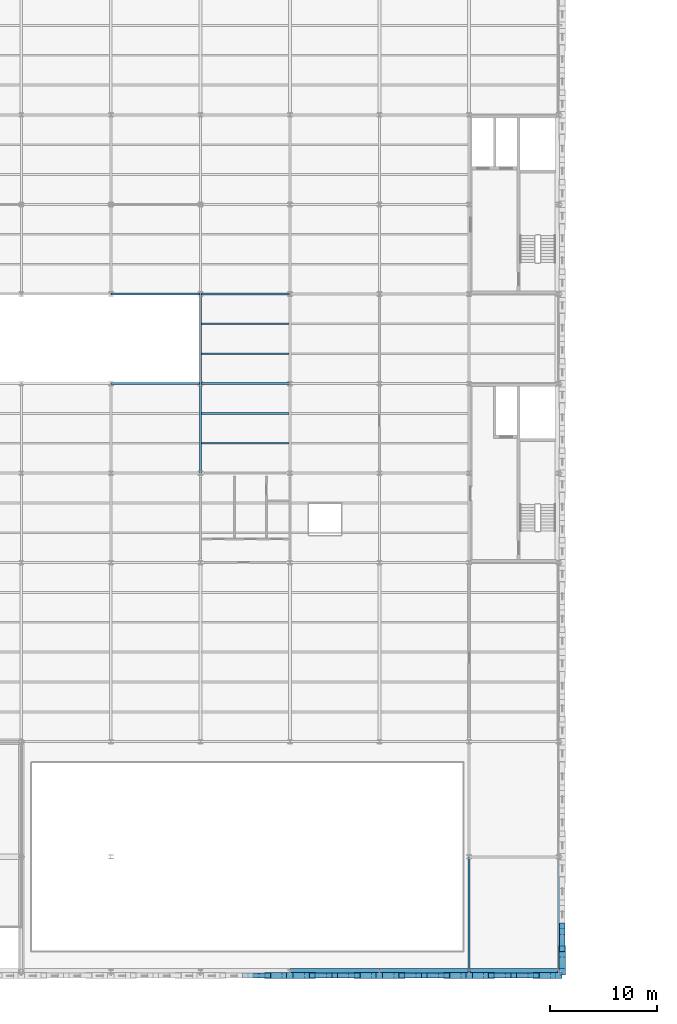
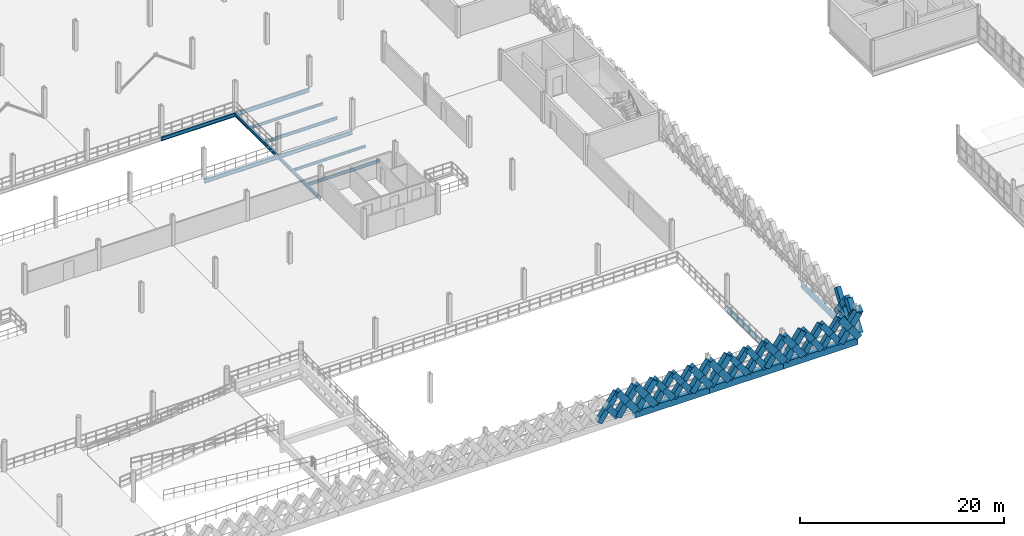
# One storey, part 23 of 79: 47 members, 15 beams.
"""IFC4 building model written with IfcOpenShell, lengths in metres."""

from ifc_helpers import new_model, si_unit, direction, frame, origin, origin_2d, place, context, subcontext, project, spatial, rectangle, i_section, extrude, material, material_profile, profile_set, type_object, element, save


model = new_model("IFC4")

# Units and contexts
model_context = context("Model", 3, precision=1e-05, world=origin(), true_north=direction((0.0, 1.0)))
body_context = subcontext(model_context, "Body", "Model", "MODEL_VIEW")
ifc_project = project(units=[si_unit("LENGTHUNIT", "METRE"), si_unit("AREAUNIT", "SQUARE_METRE"), si_unit("VOLUMEUNIT", "CUBIC_METRE"), si_unit("PLANEANGLEUNIT", "RADIAN"), si_unit("MASSUNIT", "GRAM", prefix="KILO"), si_unit("THERMODYNAMICTEMPERATUREUNIT", "KELVIN"), si_unit("POWERUNIT", "WATT")], contexts=[model_context])

# Site, building, storey
site_placement = place(None, origin())
site = spatial("IfcSite", under=ifc_project, at=site_placement, CompositionType="ELEMENT")
building_placement = place(site_placement, origin())
building = spatial("IfcBuilding", under=site, at=building_placement, Name="Tembeka Court Mobility Hub", CompositionType="ELEMENT")
storey_placement = place(building_placement, frame((0.0, 0.0, 9.0)))
storey = spatial("IfcBuildingStorey", under=building, at=storey_placement, Name="L02", CompositionType="ELEMENT", Elevation=9.0)

# Beams
ifc_material_1 = material(Name="Steel S355", Category="steel")
ifc_material_profile_1 = material_profile(ifc_material_1, i_section(OverallWidth=0.18994140625, OverallDepth=0.45703125, WebThickness=0.009033203125, FlangeThickness=0.014404296875, FilletRadius=0.01025390625, at=origin_2d()), Name="UKB 457x191x74")
ifc_profile_set_1 = profile_set([ifc_material_profile_1], Name="Steel S355")
beam_type_1 = type_object("IfcBeamType", Name="BM-B01", PredefinedType="BEAM", material=ifc_profile_set_1)
beam_1_placement = place(storey_placement, frame((50.39990234375, 55.199951171875, -0.448486328125), z_axis=(1.0, 0.0, 0.0), x_axis=(0.0, 1.0, 0.0)))
element("IfcBeam", 1, at=beam_1_placement, inside=storey, type_object=beam_type_1, Name="Beam B01 (BM-L02-X1245)", PredefinedType="BEAM", context=body_context, shape_type="SweptSolid", body=[
    extrude(i_section(OverallWidth=0.18994140625, OverallDepth=0.45703125, WebThickness=0.009033203125, FlangeThickness=0.014404296875, FilletRadius=0.01025390625, at=origin_2d()), origin(), (0.0, 0.0, 1.0), 8.400146484375),
])
beam_2_placement = place(storey_placement, frame((58.800048828125, 55.199951171875, -0.448486328125), z_axis=(1.0, 0.0, 0.0), x_axis=(0.0, 1.0, 0.0)))
element("IfcBeam", 2, at=beam_2_placement, inside=storey, type_object=beam_type_1, Name="Beam B01 (BM-L02-X1246)", PredefinedType="BEAM", context=body_context, shape_type="SweptSolid", body=[
    extrude(i_section(OverallWidth=0.18994140625, OverallDepth=0.45703125, WebThickness=0.009033203125, FlangeThickness=0.014404296875, FilletRadius=0.01025390625, at=origin_2d()), origin(), (0.0, 0.0, 1.0), 8.39990234375),
])
beam_3_placement = place(storey_placement, frame((50.39990234375, 63.60009765625, -0.448486328125), z_axis=(1.0, 0.0, 0.0), x_axis=(0.0, 1.0, 0.0)))
element("IfcBeam", 3, at=beam_3_placement, inside=storey, type_object=beam_type_1, Name="Beam B01 (BM-L02-X1257)", PredefinedType="BEAM", context=body_context, shape_type="SweptSolid", body=[
    extrude(i_section(OverallWidth=0.18994140625, OverallDepth=0.45703125, WebThickness=0.009033203125, FlangeThickness=0.014404296875, FilletRadius=0.01025390625, at=origin_2d()), origin(), (0.0, 0.0, 1.0), 8.400146484375),
])
beam_4_placement = place(storey_placement, frame((58.800048828125, 63.60009765625, -0.448486328125), z_axis=(1.0, 0.0, 0.0), x_axis=(0.0, 1.0, 0.0)))
element("IfcBeam", 4, at=beam_4_placement, inside=storey, type_object=beam_type_1, Name="Beam B01 (BM-L02-X1258)", PredefinedType="BEAM", context=body_context, shape_type="SweptSolid", body=[
    extrude(i_section(OverallWidth=0.18994140625, OverallDepth=0.45703125, WebThickness=0.009033203125, FlangeThickness=0.014404296875, FilletRadius=0.01025390625, at=origin_2d()), origin(), (0.0, 0.0, 1.0), 8.39990234375),
])
ifc_material_profile_2 = material_profile(ifc_material_1, i_section(OverallWidth=0.177978515625, OverallDepth=0.406005859375, WebThickness=0.0078125, FlangeThickness=0.0126953125, FilletRadius=0.01025390625, at=origin_2d()), Name="UKB 406x178x60")
ifc_profile_set_2 = profile_set([ifc_material_profile_2], Name="Steel S355")
beam_type_2 = type_object("IfcBeamType", Name="BM-B02", PredefinedType="BEAM", material=ifc_profile_set_2)
beam_5_placement = place(storey_placement, frame((58.800048828125, 46.800048828125, -0.423095703125), z_axis=(0.0, 1.0, 0.0), x_axis=(-1.0, 0.0, 0.0)))
element("IfcBeam", 5, at=beam_5_placement, inside=storey, type_object=beam_type_2, Name="Beam B02 (BM-L02-Y1371)", PredefinedType="BEAM", context=body_context, shape_type="SweptSolid", body=[
    extrude(i_section(OverallWidth=0.177978515625, OverallDepth=0.406005859375, WebThickness=0.0078125, FlangeThickness=0.0126953125, FilletRadius=0.01025390625, at=origin_2d()), origin(), (0.0, 0.0, 1.0), 8.39990234375),
])
beam_6_placement = place(storey_placement, frame((58.800048828125, 55.199951171875, -0.423095703125), z_axis=(0.0, 1.0, 0.0), x_axis=(-1.0, 0.0, 0.0)))
element("IfcBeam", 6, at=beam_6_placement, inside=storey, type_object=beam_type_2, Name="Beam B02 (BM-L02-Y1372)", PredefinedType="BEAM", context=body_context, shape_type="SweptSolid", body=[
    extrude(i_section(OverallWidth=0.177978515625, OverallDepth=0.406005859375, WebThickness=0.0078125, FlangeThickness=0.0126953125, FilletRadius=0.01025390625, at=origin_2d()), origin(), (0.0, 0.0, 1.0), 8.400146484375),
])
ifc_material_profile_3 = material_profile(ifc_material_1, i_section(OverallWidth=0.22900390625, OverallDepth=0.612060546875, WebThickness=0.011962890625, FlangeThickness=0.01953125, FilletRadius=0.0126953125, at=origin_2d()), Name="UKB 610x229x125")
ifc_profile_set_3 = profile_set([ifc_material_profile_3], Name="Steel S355")
beam_type_3 = type_object("IfcBeamType", Name="BM-G02", PredefinedType="USERDEFINED", material=ifc_profile_set_3)
for number, where, z_axis, x_axis, name in (
    (7, (84.0, 0.0, -0.52587890625), (0.0, 1.0, 0.0), (-1.0, 0.0, 0.0), "Beam G02 (BM-L02-Y1390)"),
    (8, (92.39990234375, 0.0, -0.52587890625), (0.0, 1.0, 0.0), (-1.0, 0.0, 0.0), "Beam G02 (BM-L02-Y1401)"),
):
    element("IfcBeam", number, at=place(storey_placement, frame(where, z_axis=z_axis, x_axis=x_axis)), inside=storey, type_object=beam_type_3, Name=name, ObjectType="GIRDER", PredefinedType="USERDEFINED", context=body_context, shape_type="SweptSolid", body=[
        extrude(i_section(OverallWidth=0.22900390625, OverallDepth=0.612060546875, WebThickness=0.011962890625, FlangeThickness=0.01953125, FilletRadius=0.0126953125, at=origin_2d()), origin(), (0.0, 0.0, 1.0), 10.800048828125),
    ])
ifc_material_profile_4 = material_profile(ifc_material_1, i_section(OverallWidth=0.1650390625, OverallDepth=0.303955078125, WebThickness=0.006103515625, FlangeThickness=0.01025390625, FilletRadius=0.0087890625, at=origin_2d()), Name="UKB 305x165x40")
ifc_profile_set_4 = profile_set([ifc_material_profile_4], Name="Steel S355")
beam_type_4 = type_object("IfcBeamType", Name="BM-J02", PredefinedType="JOIST", material=ifc_profile_set_4)
for number, where, z_axis, x_axis, name in (
    (9, (58.884033203125, 52.39990234375, -0.3720703125), (1.0, 0.0, 0.0), (0.0, 1.0, 0.0), "Beam J02 (JST-L02-1571)"),
    (10, (58.884033203125, 60.800048828125, -0.3720703125), (1.0, 0.0, 0.0), (0.0, 1.0, 0.0), "Beam J02 (JST-L02-1573)"),
):
    element("IfcBeam", number, at=place(storey_placement, frame(where, z_axis=z_axis, x_axis=x_axis)), inside=storey, type_object=beam_type_4, Name=name, PredefinedType="JOIST", context=body_context, shape_type="SweptSolid", body=[
        extrude(i_section(OverallWidth=0.1650390625, OverallDepth=0.303955078125, WebThickness=0.006103515625, FlangeThickness=0.01025390625, FilletRadius=0.0087890625, at=origin_2d()), origin(), (0.0, 0.0, 1.0), 8.23193359375),
    ])
ifc_material_profile_5 = material_profile(ifc_material_1, i_section(OverallWidth=0.169921875, OverallDepth=0.360107421875, WebThickness=0.008056640625, FlangeThickness=0.0126953125, FilletRadius=0.01806640625, at=origin_2d()), Name="IPE 360")
ifc_profile_set_5 = profile_set([ifc_material_profile_5], Name="Steel S355")
beam_type_5 = type_object("IfcBeamType", Name="BM-J03", PredefinedType="JOIST", material=ifc_profile_set_5)
for number, where, z_axis, x_axis, name in (
    (11, (58.884033203125, 49.60009765625, -0.39990234375), (1.0, 0.0, 0.0), (0.0, 1.0, 0.0), "Beam J03 (JST-L02-1570)"),
    (12, (58.884033203125, 58.0, -0.39990234375), (1.0, 0.0, 0.0), (0.0, 1.0, 0.0), "Beam J03 (JST-L02-1572)"),
):
    element("IfcBeam", number, at=place(storey_placement, frame(where, z_axis=z_axis, x_axis=x_axis)), inside=storey, type_object=beam_type_5, Name=name, PredefinedType="JOIST", context=body_context, shape_type="SweptSolid", body=[
        extrude(i_section(OverallWidth=0.169921875, OverallDepth=0.360107421875, WebThickness=0.008056640625, FlangeThickness=0.0126953125, FilletRadius=0.01806640625, at=origin_2d()), origin(), (0.0, 0.0, 1.0), 8.23193359375),
    ])
ifc_material_2 = material(Name="Precast concrete C45/55", Category="concrete")
ifc_material_profile_6 = material_profile(ifc_material_2, rectangle(XDim=0.64990234375, YDim=0.800048828125, at=origin_2d()), Name="PC-SP 650x800")
ifc_profile_set_6 = profile_set([ifc_material_profile_6], Name="Precast concrete C45/55")
beam_type_6 = type_object("IfcBeamType", Name="BM-SP01", PredefinedType="SPANDREL", material=ifc_profile_set_6)
beam_7_placement = place(storey_placement, frame((67.199951171875, 0.0, -0.6201171875), z_axis=(1.0, 0.0, 0.0), x_axis=(0.0, 1.0, 0.0)))
element("IfcBeam", 13, at=beam_7_placement, inside=storey, type_object=beam_type_6, Name="Beam SP01 (BM-L02-X1177)", PredefinedType="SPANDREL", context=body_context, shape_type="SweptSolid", body=[
    extrude(rectangle(XDim=0.64990234375, YDim=0.800048828125, at=origin_2d()), origin(), (0.0, 0.0, 1.0), 8.400146484375),
])
for number, where, z_axis, x_axis, name in (
    (14, (75.60009765625, 0.0, -0.6201171875), (1.0, 0.0, 0.0), (0.0, 1.0, 0.0), "Beam SP01 (BM-L02-X1178)"),
    (15, (84.0, 0.0, -0.6201171875), (1.0, 0.0, 0.0), (0.0, 1.0, 0.0), "Beam SP01 (BM-L02-X1179)"),
):
    element("IfcBeam", number, at=place(storey_placement, frame(where, z_axis=z_axis, x_axis=x_axis)), inside=storey, type_object=beam_type_6, Name=name, PredefinedType="SPANDREL", context=body_context, shape_type="SweptSolid", body=[
        extrude(rectangle(XDim=0.64990234375, YDim=0.800048828125, at=origin_2d()), origin(), (0.0, 0.0, 1.0), 8.39990234375),
    ])

# Members
ifc_material_profile_7 = material_profile(ifc_material_2, rectangle(XDim=0.5, YDim=0.64990234375, at=origin_2d()), Name="PC-DIAG 500x650")
ifc_profile_set_7 = profile_set([ifc_material_profile_7], Name="Precast concrete C45/55")
member_type_1 = type_object("IfcMemberType", Name="MEM-DL01", PredefinedType="BRACE", material=ifc_profile_set_7)
member_1_placement = place(storey_placement, frame((63.0, -0.340087890625, 0.02001953125), z_axis=(0.582576362011, 0.0, 0.812775973086), x_axis=(0.0, 1.0, 0.0)))
element("IfcMember", 16, at=member_1_placement, inside=storey, type_object=member_type_1, Name="Precast diamond lattice continuous strand DL01 (L02-219A)", PredefinedType="BRACE", context=body_context, shape_type="SweptSolid", body=[
    extrude(rectangle(XDim=0.5, YDim=0.64990234375, at=origin_2d()), origin(), (0.0, 0.0, 1.0), 3.604736328125),
])
member_2_placement = place(storey_placement, frame((65.10009765625, -0.340087890625, 0.02001953125), z_axis=(-0.582544294934, 0.0, 0.812798956963), x_axis=(0.0, -1.0, 0.0)))
element("IfcMember", 17, at=member_2_placement, inside=storey, type_object=member_type_1, Name="Precast diamond lattice split lower strand DL01 (L02-219B1)", PredefinedType="BRACE", context=body_context, shape_type="SweptSolid", body=[
    extrude(rectangle(XDim=0.5, YDim=0.64990234375, at=origin_2d()), origin(), (0.0, 0.0, 1.0), 1.802490234375),
])
member_3_placement = place(storey_placement, frame((69.300048828125, -0.340087890625, 0.02001953125), z_axis=(0.58253161945, 0.0, 0.812808041509), x_axis=(0.0, 1.0, 0.0)))
element("IfcMember", 18, at=member_3_placement, inside=storey, type_object=member_type_1, Name="Precast diamond lattice continuous strand DL01 (L02-222A)", PredefinedType="BRACE", context=body_context, shape_type="SweptSolid", body=[
    extrude(rectangle(XDim=0.5, YDim=0.64990234375, at=origin_2d()), origin(), (0.0, 0.0, 1.0), 3.604736328125),
])
member_4_placement = place(storey_placement, frame((71.39990234375, -0.340087890625, 0.02001953125), z_axis=(-0.582454804382, 0.0, 0.812863088627), x_axis=(0.0, -1.0, 0.0)))
element("IfcMember", 19, at=member_4_placement, inside=storey, type_object=member_type_1, Name="Precast diamond lattice split lower strand DL01 (L02-222B1)", PredefinedType="BRACE", context=body_context, shape_type="SweptSolid", body=[
    extrude(rectangle(XDim=0.5, YDim=0.64990234375, at=origin_2d()), origin(), (0.0, 0.0, 1.0), 1.802490234375),
])
member_5_placement = place(storey_placement, frame((70.35009765625, -0.340087890625, 1.485107421875), z_axis=(-0.582608431711, 0.0, 0.812752985414), x_axis=(0.0, -1.0, 0.0)))
element("IfcMember", 20, at=member_5_placement, inside=storey, type_object=member_type_1, Name="Precast diamond lattice split upper strand DL01 (L02-222B2)", PredefinedType="BRACE", context=body_context, shape_type="SweptSolid", body=[
    extrude(rectangle(XDim=0.5, YDim=0.64990234375, at=origin_2d()), origin(), (0.0, 0.0, 1.0), 1.80224609375),
])
member_6_placement = place(storey_placement, frame((71.39990234375, -0.340087890625, 0.02001953125), z_axis=(0.582576362011, 0.0, 0.812775973086), x_axis=(0.0, 1.0, 0.0)))
element("IfcMember", 21, at=member_6_placement, inside=storey, type_object=member_type_1, Name="Precast diamond lattice continuous strand DL01 (L02-223A)", PredefinedType="BRACE", context=body_context, shape_type="SweptSolid", body=[
    extrude(rectangle(XDim=0.5, YDim=0.64990234375, at=origin_2d()), origin(), (0.0, 0.0, 1.0), 3.604736328125),
])
member_7_placement = place(storey_placement, frame((73.5, -0.340087890625, 0.02001953125), z_axis=(-0.582544294934, 0.0, 0.812798956963), x_axis=(0.0, -1.0, 0.0)))
element("IfcMember", 22, at=member_7_placement, inside=storey, type_object=member_type_1, Name="Precast diamond lattice split lower strand DL01 (L02-223B1)", PredefinedType="BRACE", context=body_context, shape_type="SweptSolid", body=[
    extrude(rectangle(XDim=0.5, YDim=0.64990234375, at=origin_2d()), origin(), (0.0, 0.0, 1.0), 1.802490234375),
])
member_8_placement = place(storey_placement, frame((72.449951171875, -0.340087890625, 1.485107421875), z_axis=(-0.582608431711, 0.0, 0.812752985414), x_axis=(0.0, -1.0, 0.0)))
element("IfcMember", 23, at=member_8_placement, inside=storey, type_object=member_type_1, Name="Precast diamond lattice split upper strand DL01 (L02-223B2)", PredefinedType="BRACE", context=body_context, shape_type="SweptSolid", body=[
    extrude(rectangle(XDim=0.5, YDim=0.64990234375, at=origin_2d()), origin(), (0.0, 0.0, 1.0), 1.80224609375),
])
member_9_placement = place(storey_placement, frame((77.699951171875, -0.340087890625, 0.02001953125), z_axis=(0.582576362011, 0.0, 0.812775973086), x_axis=(0.0, 1.0, 0.0)))
element("IfcMember", 24, at=member_9_placement, inside=storey, type_object=member_type_1, Name="Precast diamond lattice continuous strand DL01 (L02-226A)", PredefinedType="BRACE", context=body_context, shape_type="SweptSolid", body=[
    extrude(rectangle(XDim=0.5, YDim=0.64990234375, at=origin_2d()), origin(), (0.0, 0.0, 1.0), 3.604736328125),
])
member_10_placement = place(storey_placement, frame((79.800048828125, -0.340087890625, 0.02001953125), z_axis=(-0.582544294934, 0.0, 0.812798956963), x_axis=(0.0, -1.0, 0.0)))
element("IfcMember", 25, at=member_10_placement, inside=storey, type_object=member_type_1, Name="Precast diamond lattice split lower strand DL01 (L02-226B1)", PredefinedType="BRACE", context=body_context, shape_type="SweptSolid", body=[
    extrude(rectangle(XDim=0.5, YDim=0.64990234375, at=origin_2d()), origin(), (0.0, 0.0, 1.0), 1.802490234375),
])
member_11_placement = place(storey_placement, frame((78.75, -0.340087890625, 1.485107421875), z_axis=(-0.582608431711, 0.0, 0.812752985414), x_axis=(0.0, -1.0, 0.0)))
element("IfcMember", 26, at=member_11_placement, inside=storey, type_object=member_type_1, Name="Precast diamond lattice split upper strand DL01 (L02-226B2)", PredefinedType="BRACE", context=body_context, shape_type="SweptSolid", body=[
    extrude(rectangle(XDim=0.5, YDim=0.64990234375, at=origin_2d()), origin(), (0.0, 0.0, 1.0), 1.80224609375),
])
member_12_placement = place(storey_placement, frame((79.800048828125, -0.340087890625, 0.02001953125), z_axis=(0.58253161945, 0.0, 0.812808041509), x_axis=(0.0, 1.0, 0.0)))
element("IfcMember", 27, at=member_12_placement, inside=storey, type_object=member_type_1, Name="Precast diamond lattice continuous strand DL01 (L02-227A)", PredefinedType="BRACE", context=body_context, shape_type="SweptSolid", body=[
    extrude(rectangle(XDim=0.5, YDim=0.64990234375, at=origin_2d()), origin(), (0.0, 0.0, 1.0), 3.604736328125),
])
member_13_placement = place(storey_placement, frame((81.89990234375, -0.340087890625, 0.02001953125), z_axis=(-0.582454804382, 0.0, 0.812863088627), x_axis=(0.0, -1.0, 0.0)))
element("IfcMember", 28, at=member_13_placement, inside=storey, type_object=member_type_1, Name="Precast diamond lattice split lower strand DL01 (L02-227B1)", PredefinedType="BRACE", context=body_context, shape_type="SweptSolid", body=[
    extrude(rectangle(XDim=0.5, YDim=0.64990234375, at=origin_2d()), origin(), (0.0, 0.0, 1.0), 1.802490234375),
])
member_14_placement = place(storey_placement, frame((80.85009765625, -0.340087890625, 1.485107421875), z_axis=(-0.582608431711, 0.0, 0.812752985414), x_axis=(0.0, -1.0, 0.0)))
element("IfcMember", 29, at=member_14_placement, inside=storey, type_object=member_type_1, Name="Precast diamond lattice split upper strand DL01 (L02-227B2)", PredefinedType="BRACE", context=body_context, shape_type="SweptSolid", body=[
    extrude(rectangle(XDim=0.5, YDim=0.64990234375, at=origin_2d()), origin(), (0.0, 0.0, 1.0), 1.80224609375),
])
member_15_placement = place(storey_placement, frame((86.10009765625, -0.340087890625, 0.02001953125), z_axis=(0.58253161945, 0.0, 0.812808041509), x_axis=(0.0, 1.0, 0.0)))
element("IfcMember", 30, at=member_15_placement, inside=storey, type_object=member_type_1, Name="Precast diamond lattice continuous strand DL01 (L02-230A)", PredefinedType="BRACE", context=body_context, shape_type="SweptSolid", body=[
    extrude(rectangle(XDim=0.5, YDim=0.64990234375, at=origin_2d()), origin(), (0.0, 0.0, 1.0), 3.604736328125),
])
member_16_placement = place(storey_placement, frame((88.199951171875, -0.340087890625, 0.02001953125), z_axis=(-0.582544294934, 0.0, 0.812798956963), x_axis=(0.0, -1.0, 0.0)))
element("IfcMember", 31, at=member_16_placement, inside=storey, type_object=member_type_1, Name="Precast diamond lattice split lower strand DL01 (L02-230B1)", PredefinedType="BRACE", context=body_context, shape_type="SweptSolid", body=[
    extrude(rectangle(XDim=0.5, YDim=0.64990234375, at=origin_2d()), origin(), (0.0, 0.0, 1.0), 1.802490234375),
])
member_17_placement = place(storey_placement, frame((87.14990234375, -0.340087890625, 1.485107421875), z_axis=(-0.582518941428, 0.0, 0.812817127574), x_axis=(0.0, -1.0, 0.0)))
element("IfcMember", 32, at=member_17_placement, inside=storey, type_object=member_type_1, Name="Precast diamond lattice split upper strand DL01 (L02-230B2)", PredefinedType="BRACE", context=body_context, shape_type="SweptSolid", body=[
    extrude(rectangle(XDim=0.5, YDim=0.64990234375, at=origin_2d()), origin(), (0.0, 0.0, 1.0), 1.80224609375),
])
member_18_placement = place(storey_placement, frame((88.199951171875, -0.340087890625, 0.02001953125), z_axis=(0.582576362011, 0.0, 0.812775973086), x_axis=(0.0, 1.0, 0.0)))
element("IfcMember", 33, at=member_18_placement, inside=storey, type_object=member_type_1, Name="Precast diamond lattice continuous strand DL01 (L02-231A)", PredefinedType="BRACE", context=body_context, shape_type="SweptSolid", body=[
    extrude(rectangle(XDim=0.5, YDim=0.64990234375, at=origin_2d()), origin(), (0.0, 0.0, 1.0), 3.604736328125),
])
member_19_placement = place(storey_placement, frame((90.300048828125, -0.340087890625, 0.02001953125), z_axis=(-0.582544294934, 0.0, 0.812798956963), x_axis=(0.0, -1.0, 0.0)))
element("IfcMember", 34, at=member_19_placement, inside=storey, type_object=member_type_1, Name="Precast diamond lattice split lower strand DL01 (L02-231B1)", PredefinedType="BRACE", context=body_context, shape_type="SweptSolid", body=[
    extrude(rectangle(XDim=0.5, YDim=0.64990234375, at=origin_2d()), origin(), (0.0, 0.0, 1.0), 1.802490234375),
])
member_20_placement = place(storey_placement, frame((89.25, -0.340087890625, 1.485107421875), z_axis=(-0.582608431711, 0.0, 0.812752985414), x_axis=(0.0, -1.0, 0.0)))
element("IfcMember", 35, at=member_20_placement, inside=storey, type_object=member_type_1, Name="Precast diamond lattice split upper strand DL01 (L02-231B2)", PredefinedType="BRACE", context=body_context, shape_type="SweptSolid", body=[
    extrude(rectangle(XDim=0.5, YDim=0.64990234375, at=origin_2d()), origin(), (0.0, 0.0, 1.0), 1.80224609375),
])
member_21_placement = place(storey_placement, frame((92.739990234375, 2.159912109375, 0.02001953125), z_axis=(0.0, 0.593423219328, 0.804890602978), x_axis=(-1.0, 0.0, 0.0)))
element("IfcMember", 36, at=member_21_placement, inside=storey, type_object=member_type_1, Name="Precast diamond lattice continuous strand DL01 (L02-334C)", PredefinedType="BRACE", context=body_context, shape_type="SweptSolid", body=[
    extrude(rectangle(XDim=0.5, YDim=0.64990234375, at=origin_2d()), origin(), (0.0, 0.0, 1.0), 3.64013671875),
])
for number, where, z_axis, x_axis, name in (
    (37, (92.739990234375, 4.320068359375, 0.02001953125), (0.0, -0.593391185876, 0.804914219358), (1.0, 0.0, 0.0), "Precast diamond lattice split lower strand DL01 (L02-334D1)"),
    (38, (92.739990234375, 3.239990234375, 1.485107421875), (0.0, -0.593455255298, 0.804866982773), (1.0, 0.0, 0.0), "Precast diamond lattice split upper strand DL01 (L02-334D2)"),
):
    element("IfcMember", number, at=place(storey_placement, frame(where, z_axis=z_axis, x_axis=x_axis)), inside=storey, type_object=member_type_1, Name=name, PredefinedType="BRACE", context=body_context, shape_type="SweptSolid", body=[
        extrude(rectangle(XDim=0.5, YDim=0.64990234375, at=origin_2d()), origin(), (0.0, 0.0, 1.0), 1.820068359375),
    ])
ifc_material_profile_8 = material_profile(ifc_material_2, rectangle(XDim=0.60009765625, YDim=0.75, at=origin_2d()), Name="PC-DIAG 600x750")
ifc_profile_set_8 = profile_set([ifc_material_profile_8], Name="Precast concrete C45/55")
member_type_2 = type_object("IfcMemberType", Name="MEM-DL02", PredefinedType="BRACE", material=ifc_profile_set_8)
member_22_placement = place(storey_placement, frame((65.10009765625, -0.340087890625, 0.02001953125), z_axis=(0.58253161945, 0.0, 0.812808041509), x_axis=(0.0, 1.0, 0.0)))
element("IfcMember", 39, at=member_22_placement, inside=storey, type_object=member_type_2, Name="Precast diamond lattice continuous strand DL02 (L02-220A)", PredefinedType="BRACE", context=body_context, shape_type="SweptSolid", body=[
    extrude(rectangle(XDim=0.60009765625, YDim=0.75, at=origin_2d()), origin(), (0.0, 0.0, 1.0), 3.604736328125),
])
member_23_placement = place(storey_placement, frame((67.199951171875, -0.340087890625, 0.02001953125), z_axis=(-0.582544294934, 0.0, 0.812798956963), x_axis=(0.0, -1.0, 0.0)))
element("IfcMember", 40, at=member_23_placement, inside=storey, type_object=member_type_2, Name="Precast diamond lattice split lower strand DL02 (L02-220B1)", PredefinedType="BRACE", context=body_context, shape_type="SweptSolid", body=[
    extrude(rectangle(XDim=0.60009765625, YDim=0.75, at=origin_2d()), origin(), (0.0, 0.0, 1.0), 1.802490234375),
])
member_24_placement = place(storey_placement, frame((66.14990234375, -0.340087890625, 1.485107421875), z_axis=(-0.582518941428, 0.0, 0.812817127574), x_axis=(0.0, -1.0, 0.0)))
element("IfcMember", 41, at=member_24_placement, inside=storey, type_object=member_type_2, Name="Precast diamond lattice split upper strand DL02 (L02-220B2)", PredefinedType="BRACE", context=body_context, shape_type="SweptSolid", body=[
    extrude(rectangle(XDim=0.60009765625, YDim=0.75, at=origin_2d()), origin(), (0.0, 0.0, 1.0), 1.80224609375),
])
member_25_placement = place(storey_placement, frame((67.199951171875, -0.340087890625, 0.02001953125), z_axis=(0.582576362011, 0.0, 0.812775973086), x_axis=(0.0, 1.0, 0.0)))
element("IfcMember", 42, at=member_25_placement, inside=storey, type_object=member_type_2, Name="Precast diamond lattice continuous strand DL02 (L02-221A)", PredefinedType="BRACE", context=body_context, shape_type="SweptSolid", body=[
    extrude(rectangle(XDim=0.60009765625, YDim=0.75, at=origin_2d()), origin(), (0.0, 0.0, 1.0), 3.604736328125),
])
member_26_placement = place(storey_placement, frame((69.300048828125, -0.340087890625, 0.02001953125), z_axis=(-0.582544294934, 0.0, 0.812798956963), x_axis=(0.0, -1.0, 0.0)))
element("IfcMember", 43, at=member_26_placement, inside=storey, type_object=member_type_2, Name="Precast diamond lattice split lower strand DL02 (L02-221B1)", PredefinedType="BRACE", context=body_context, shape_type="SweptSolid", body=[
    extrude(rectangle(XDim=0.60009765625, YDim=0.75, at=origin_2d()), origin(), (0.0, 0.0, 1.0), 1.802490234375),
])
member_27_placement = place(storey_placement, frame((68.25, -0.340087890625, 1.485107421875), z_axis=(-0.582608431711, 0.0, 0.812752985414), x_axis=(0.0, -1.0, 0.0)))
element("IfcMember", 44, at=member_27_placement, inside=storey, type_object=member_type_2, Name="Precast diamond lattice split upper strand DL02 (L02-221B2)", PredefinedType="BRACE", context=body_context, shape_type="SweptSolid", body=[
    extrude(rectangle(XDim=0.60009765625, YDim=0.75, at=origin_2d()), origin(), (0.0, 0.0, 1.0), 1.80224609375),
])
member_28_placement = place(storey_placement, frame((73.5, -0.340087890625, 0.02001953125), z_axis=(0.582576362011, 0.0, 0.812775973086), x_axis=(0.0, 1.0, 0.0)))
element("IfcMember", 45, at=member_28_placement, inside=storey, type_object=member_type_2, Name="Precast diamond lattice continuous strand DL02 (L02-224A)", PredefinedType="BRACE", context=body_context, shape_type="SweptSolid", body=[
    extrude(rectangle(XDim=0.60009765625, YDim=0.75, at=origin_2d()), origin(), (0.0, 0.0, 1.0), 3.604736328125),
])
member_29_placement = place(storey_placement, frame((75.60009765625, -0.340087890625, 0.02001953125), z_axis=(-0.582544294934, 0.0, 0.812798956963), x_axis=(0.0, -1.0, 0.0)))
element("IfcMember", 46, at=member_29_placement, inside=storey, type_object=member_type_2, Name="Precast diamond lattice split lower strand DL02 (L02-224B1)", PredefinedType="BRACE", context=body_context, shape_type="SweptSolid", body=[
    extrude(rectangle(XDim=0.60009765625, YDim=0.75, at=origin_2d()), origin(), (0.0, 0.0, 1.0), 1.802490234375),
])
member_30_placement = place(storey_placement, frame((74.550048828125, -0.340087890625, 1.485107421875), z_axis=(-0.582608431711, 0.0, 0.812752985414), x_axis=(0.0, -1.0, 0.0)))
element("IfcMember", 47, at=member_30_placement, inside=storey, type_object=member_type_2, Name="Precast diamond lattice split upper strand DL02 (L02-224B2)", PredefinedType="BRACE", context=body_context, shape_type="SweptSolid", body=[
    extrude(rectangle(XDim=0.60009765625, YDim=0.75, at=origin_2d()), origin(), (0.0, 0.0, 1.0), 1.80224609375),
])
member_31_placement = place(storey_placement, frame((75.60009765625, -0.340087890625, 0.02001953125), z_axis=(0.58253161945, 0.0, 0.812808041509), x_axis=(0.0, 1.0, 0.0)))
element("IfcMember", 48, at=member_31_placement, inside=storey, type_object=member_type_2, Name="Precast diamond lattice continuous strand DL02 (L02-225A)", PredefinedType="BRACE", context=body_context, shape_type="SweptSolid", body=[
    extrude(rectangle(XDim=0.60009765625, YDim=0.75, at=origin_2d()), origin(), (0.0, 0.0, 1.0), 3.604736328125),
])
member_32_placement = place(storey_placement, frame((77.699951171875, -0.340087890625, 0.02001953125), z_axis=(-0.582544294934, 0.0, 0.812798956963), x_axis=(0.0, -1.0, 0.0)))
element("IfcMember", 49, at=member_32_placement, inside=storey, type_object=member_type_2, Name="Precast diamond lattice split lower strand DL02 (L02-225B1)", PredefinedType="BRACE", context=body_context, shape_type="SweptSolid", body=[
    extrude(rectangle(XDim=0.60009765625, YDim=0.75, at=origin_2d()), origin(), (0.0, 0.0, 1.0), 1.802490234375),
])
member_33_placement = place(storey_placement, frame((76.64990234375, -0.340087890625, 1.485107421875), z_axis=(-0.582518941428, 0.0, 0.812817127574), x_axis=(0.0, -1.0, 0.0)))
element("IfcMember", 50, at=member_33_placement, inside=storey, type_object=member_type_2, Name="Precast diamond lattice split upper strand DL02 (L02-225B2)", PredefinedType="BRACE", context=body_context, shape_type="SweptSolid", body=[
    extrude(rectangle(XDim=0.60009765625, YDim=0.75, at=origin_2d()), origin(), (0.0, 0.0, 1.0), 1.80224609375),
])
member_34_placement = place(storey_placement, frame((81.89990234375, -0.340087890625, 0.02001953125), z_axis=(0.582576362011, 0.0, 0.812775973086), x_axis=(0.0, 1.0, 0.0)))
element("IfcMember", 51, at=member_34_placement, inside=storey, type_object=member_type_2, Name="Precast diamond lattice continuous strand DL02 (L02-228A)", PredefinedType="BRACE", context=body_context, shape_type="SweptSolid", body=[
    extrude(rectangle(XDim=0.60009765625, YDim=0.75, at=origin_2d()), origin(), (0.0, 0.0, 1.0), 3.604736328125),
])
member_35_placement = place(storey_placement, frame((84.0, -0.340087890625, 0.02001953125), z_axis=(-0.582544294934, 0.0, 0.812798956963), x_axis=(0.0, -1.0, 0.0)))
element("IfcMember", 52, at=member_35_placement, inside=storey, type_object=member_type_2, Name="Precast diamond lattice split lower strand DL02 (L02-228B1)", PredefinedType="BRACE", context=body_context, shape_type="SweptSolid", body=[
    extrude(rectangle(XDim=0.60009765625, YDim=0.75, at=origin_2d()), origin(), (0.0, 0.0, 1.0), 1.802490234375),
])
member_36_placement = place(storey_placement, frame((82.949951171875, -0.340087890625, 1.485107421875), z_axis=(-0.582608431711, 0.0, 0.812752985414), x_axis=(0.0, -1.0, 0.0)))
element("IfcMember", 53, at=member_36_placement, inside=storey, type_object=member_type_2, Name="Precast diamond lattice split upper strand DL02 (L02-228B2)", PredefinedType="BRACE", context=body_context, shape_type="SweptSolid", body=[
    extrude(rectangle(XDim=0.60009765625, YDim=0.75, at=origin_2d()), origin(), (0.0, 0.0, 1.0), 1.80224609375),
])
member_37_placement = place(storey_placement, frame((84.0, -0.340087890625, 0.02001953125), z_axis=(0.582576362011, 0.0, 0.812775973086), x_axis=(0.0, 1.0, 0.0)))
element("IfcMember", 54, at=member_37_placement, inside=storey, type_object=member_type_2, Name="Precast diamond lattice continuous strand DL02 (L02-229A)", PredefinedType="BRACE", context=body_context, shape_type="SweptSolid", body=[
    extrude(rectangle(XDim=0.60009765625, YDim=0.75, at=origin_2d()), origin(), (0.0, 0.0, 1.0), 3.604736328125),
])
member_38_placement = place(storey_placement, frame((86.10009765625, -0.340087890625, 0.02001953125), z_axis=(-0.582544294934, 0.0, 0.812798956963), x_axis=(0.0, -1.0, 0.0)))
element("IfcMember", 55, at=member_38_placement, inside=storey, type_object=member_type_2, Name="Precast diamond lattice split lower strand DL02 (L02-229B1)", PredefinedType="BRACE", context=body_context, shape_type="SweptSolid", body=[
    extrude(rectangle(XDim=0.60009765625, YDim=0.75, at=origin_2d()), origin(), (0.0, 0.0, 1.0), 1.802490234375),
])
member_39_placement = place(storey_placement, frame((85.050048828125, -0.340087890625, 1.485107421875), z_axis=(-0.582608431711, 0.0, 0.812752985414), x_axis=(0.0, -1.0, 0.0)))
element("IfcMember", 56, at=member_39_placement, inside=storey, type_object=member_type_2, Name="Precast diamond lattice split upper strand DL02 (L02-229B2)", PredefinedType="BRACE", context=body_context, shape_type="SweptSolid", body=[
    extrude(rectangle(XDim=0.60009765625, YDim=0.75, at=origin_2d()), origin(), (0.0, 0.0, 1.0), 1.80224609375),
])
member_40_placement = place(storey_placement, frame((90.300048828125, -0.340087890625, 0.02001953125), z_axis=(0.58253161945, 0.0, 0.812808041509), x_axis=(0.0, 1.0, 0.0)))
element("IfcMember", 57, at=member_40_placement, inside=storey, type_object=member_type_2, Name="Precast diamond lattice continuous strand DL02 (L02-232A)", PredefinedType="BRACE", context=body_context, shape_type="SweptSolid", body=[
    extrude(rectangle(XDim=0.60009765625, YDim=0.75, at=origin_2d()), origin(), (0.0, 0.0, 1.0), 3.604736328125),
])
member_41_placement = place(storey_placement, frame((92.39990234375, -0.340087890625, 0.02001953125), z_axis=(-0.582454804382, 0.0, 0.812863088627), x_axis=(0.0, -1.0, 0.0)))
element("IfcMember", 58, at=member_41_placement, inside=storey, type_object=member_type_2, Name="Precast diamond lattice split lower strand DL02 (L02-232B1)", PredefinedType="BRACE", context=body_context, shape_type="SweptSolid", body=[
    extrude(rectangle(XDim=0.60009765625, YDim=0.75, at=origin_2d()), origin(), (0.0, 0.0, 1.0), 1.802490234375),
])
member_42_placement = place(storey_placement, frame((91.35009765625, -0.340087890625, 1.485107421875), z_axis=(-0.582608431711, 0.0, 0.812752985414), x_axis=(0.0, -1.0, 0.0)))
element("IfcMember", 59, at=member_42_placement, inside=storey, type_object=member_type_2, Name="Precast diamond lattice split upper strand DL02 (L02-232B2)", PredefinedType="BRACE", context=body_context, shape_type="SweptSolid", body=[
    extrude(rectangle(XDim=0.60009765625, YDim=0.75, at=origin_2d()), origin(), (0.0, 0.0, 1.0), 1.80224609375),
])
member_43_placement = place(storey_placement, frame((92.739990234375, 0.0, 0.02001953125), z_axis=(0.0, 0.593379766398, 0.804922637792), x_axis=(-1.0, 0.0, 0.0)))
element("IfcMember", 60, at=member_43_placement, inside=storey, type_object=member_type_2, Name="Precast diamond lattice continuous strand DL02 (L02-333C)", PredefinedType="BRACE", context=body_context, shape_type="SweptSolid", body=[
    extrude(rectangle(XDim=0.60009765625, YDim=0.75, at=origin_2d()), origin(), (0.0, 0.0, 1.0), 3.64013671875),
])
for number, where, z_axis, x_axis, name in (
    (61, (92.739990234375, 2.159912109375, 0.02001953125), (0.0, -0.593304274421, 0.804978284151), (1.0, 0.0, 0.0), "Precast diamond lattice split lower strand DL02 (L02-333D1)"),
    (62, (92.739990234375, 1.080078125, 1.485107421875), (0.0, -0.593455255298, 0.804866982773), (1.0, 0.0, 0.0), "Precast diamond lattice split upper strand DL02 (L02-333D2)"),
):
    element("IfcMember", number, at=place(storey_placement, frame(where, z_axis=z_axis, x_axis=x_axis)), inside=storey, type_object=member_type_2, Name=name, PredefinedType="BRACE", context=body_context, shape_type="SweptSolid", body=[
        extrude(rectangle(XDim=0.60009765625, YDim=0.75, at=origin_2d()), origin(), (0.0, 0.0, 1.0), 1.820068359375),
    ])

save(model, "model.ifc")
